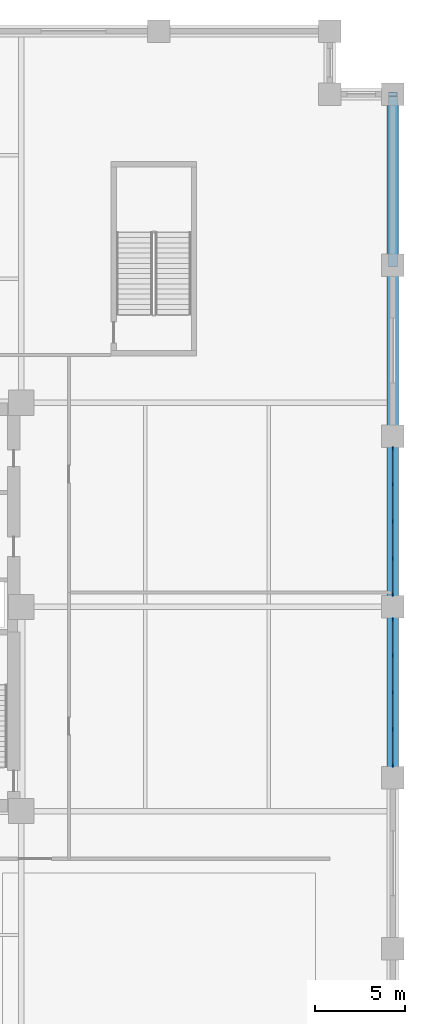
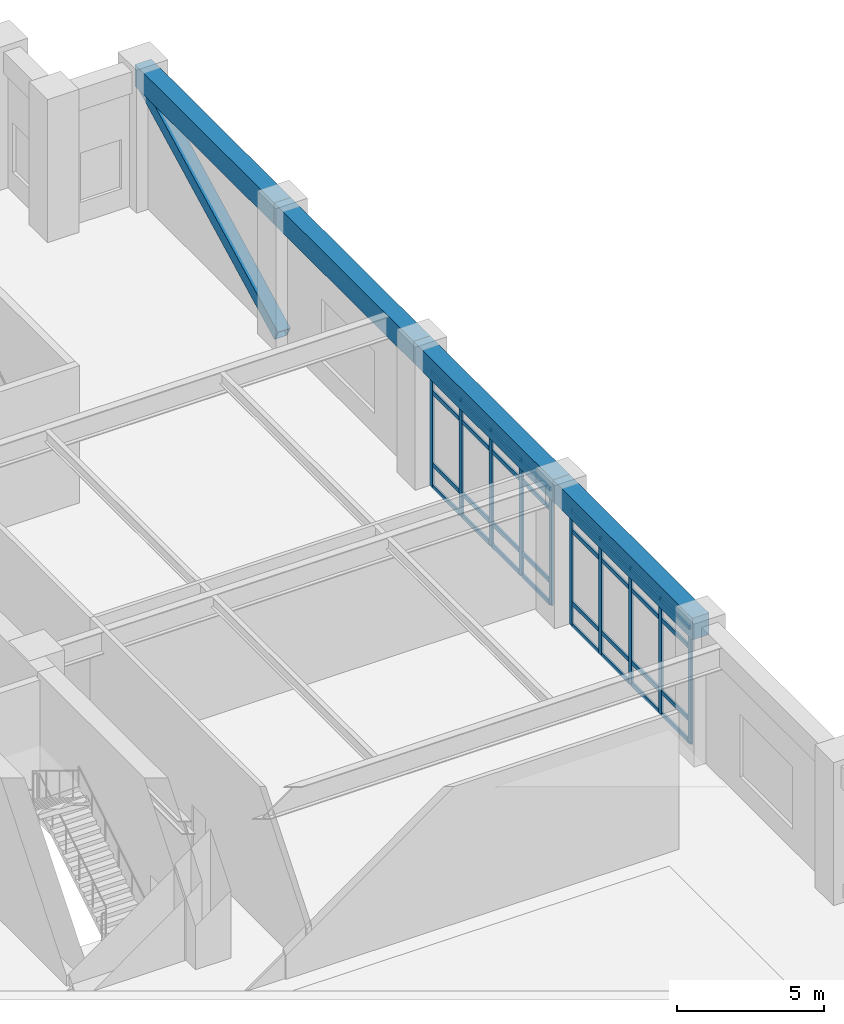
# One storey, part 8 of 21: 43 members, 4 beams, 2 elements without a shape of their own.
"""IFC4 building model written with IfcOpenShell, lengths in metres."""

from ifc_helpers import new_model, si_unit, direction, frame, origin, origin_2d, place, context, subcontext, project, spatial, rectangle, hollow_rectangle, extrude, material, layer, layer_set, material_profile, profile_set, type_object, element, aggregate, save


model = new_model("IFC4")

# Units and contexts
model_context = context("Model", 3, precision=1e-05, world=origin(), true_north=direction((0.0, 1.0)))
body_context = subcontext(model_context, "Body", "Model", "MODEL_VIEW")
ifc_project = project(units=[si_unit("LENGTHUNIT", "METRE"), si_unit("AREAUNIT", "SQUARE_METRE"), si_unit("VOLUMEUNIT", "CUBIC_METRE"), si_unit("PLANEANGLEUNIT", "RADIAN"), si_unit("MASSUNIT", "GRAM", prefix="KILO")], contexts=[model_context])

# Site, building, storey
site_placement = place(None, origin())
site = spatial("IfcSite", under=ifc_project, at=site_placement, CompositionType="ELEMENT")
building_placement = place(site_placement, origin())
building = spatial("IfcBuilding", under=site, at=building_placement, Name="Nhamokura Convention Tower", CompositionType="ELEMENT")
storey_placement = place(building_placement, frame((0.0, 0.0, 17.85009765625)))
storey = spatial("IfcBuildingStorey", under=building, at=storey_placement, Name="L03", CompositionType="ELEMENT", Elevation=17.85009765625)

# Curtain wall, members
ifc_material_1 = material(Name="Anodised bronze aluminium AA6063-T6", Category="aluminium")
ifc_layer = layer(ifc_material_1, 0.199951171875)
ifc_layer_set = layer_set([ifc_layer], Name="CWSystem_ConventionFoyer")
curtain_wall_type = type_object("IfcCurtainWallType", Name="CWSystem_ConventionFoyer", PredefinedType="NOTDEFINED", material=ifc_layer_set)
curtain_wall_1_placement = place(storey_placement, origin())
curtain_wall_1 = element("IfcCurtainWall", 1, at=curtain_wall_1_placement, inside=storey, type_object=curtain_wall_type, Name="L03 Curtain Wall ENV-L03-CW-E2", PredefinedType="NOTDEFINED")
ifc_material_2 = material(Name="Anodised bronze aluminium AA6063-T6", Category="aluminium")
ifc_material_profile_1 = material_profile(ifc_material_2, rectangle(XDim=0.074951171875, YDim=0.199951171875, at=origin_2d()))
ifc_profile_set_1 = profile_set([ifc_material_profile_1], Name="Anodised bronze aluminium AA6063-T6")
member_type_1 = type_object("IfcMemberType", Name="CWMullion_2", PredefinedType="MULLION", material=ifc_profile_set_1)
member_1_placement = place(storey_placement, frame((64.0, 31.3125, 0.0), z_axis=(0.0, 0.0, 1.0), x_axis=(1.0, 0.0, 0.0)))
member_1 = element("IfcMember", 2, at=member_1_placement, type_object=member_type_1, Name="CW-02 mullion 1", PredefinedType="MULLION", context=body_context, shape_type="SweptSolid", body=[
    extrude(rectangle(XDim=0.074951171875, YDim=0.199951171875, at=origin_2d()), origin(), (0.0, 0.0, 1.0), 4.809814453125),
])
member_2_placement = place(storey_placement, frame((64.0, 29.300048828125, 0.0), z_axis=(0.0, 0.0, 1.0), x_axis=(1.0, 0.0, 0.0)))
member_2 = element("IfcMember", 3, at=member_2_placement, type_object=member_type_1, Name="CW-02 mullion 2", PredefinedType="MULLION", context=body_context, shape_type="SweptSolid", body=[
    extrude(rectangle(XDim=0.074951171875, YDim=0.199951171875, at=origin_2d()), origin(), (0.0, 0.0, 1.0), 4.809814453125),
])
member_3_placement = place(storey_placement, frame((64.0, 27.25, 0.0), z_axis=(0.0, 0.0, 1.0), x_axis=(1.0, 0.0, 0.0)))
member_3 = element("IfcMember", 4, at=member_3_placement, type_object=member_type_1, Name="CW-02 mullion 3", PredefinedType="MULLION", context=body_context, shape_type="SweptSolid", body=[
    extrude(rectangle(XDim=0.074951171875, YDim=0.199951171875, at=origin_2d()), origin(), (0.0, 0.0, 1.0), 4.809814453125),
])
member_4_placement = place(storey_placement, frame((64.0, 25.199951171875, 0.0), z_axis=(0.0, 0.0, 1.0), x_axis=(1.0, 0.0, 0.0)))
member_4 = element("IfcMember", 5, at=member_4_placement, type_object=member_type_1, Name="CW-02 mullion 4", PredefinedType="MULLION", context=body_context, shape_type="SweptSolid", body=[
    extrude(rectangle(XDim=0.074951171875, YDim=0.199951171875, at=origin_2d()), origin(), (0.0, 0.0, 1.0), 4.809814453125),
])
member_5_placement = place(storey_placement, frame((64.0, 23.1875, 0.0), z_axis=(0.0, 0.0, 1.0), x_axis=(1.0, 0.0, 0.0)))
member_5 = element("IfcMember", 6, at=member_5_placement, type_object=member_type_1, Name="CW-02 mullion 5", PredefinedType="MULLION", context=body_context, shape_type="SweptSolid", body=[
    extrude(rectangle(XDim=0.074951171875, YDim=0.199951171875, at=origin_2d()), origin(), (0.0, 0.0, 1.0), 4.809814453125),
])

curtain_wall_2_placement = place(storey_placement, origin())
curtain_wall_2 = element("IfcCurtainWall", 7, at=curtain_wall_2_placement, inside=storey, type_object=curtain_wall_type, Name="L03 Curtain Wall ENV-L03-CW-E3", PredefinedType="NOTDEFINED")
member_6_placement = place(storey_placement, frame((64.0, 40.8125, 0.0), z_axis=(0.0, 0.0, 1.0), x_axis=(1.0, 0.0, 0.0)))
member_6 = element("IfcMember", 8, at=member_6_placement, type_object=member_type_1, Name="CW-02 mullion 1", PredefinedType="MULLION", context=body_context, shape_type="SweptSolid", body=[
    extrude(rectangle(XDim=0.074951171875, YDim=0.199951171875, at=origin_2d()), origin(), (0.0, 0.0, 1.0), 4.809814453125),
])
member_7_placement = place(storey_placement, frame((64.0, 38.800048828125, 0.0), z_axis=(0.0, 0.0, 1.0), x_axis=(1.0, 0.0, 0.0)))
member_7 = element("IfcMember", 9, at=member_7_placement, type_object=member_type_1, Name="CW-02 mullion 2", PredefinedType="MULLION", context=body_context, shape_type="SweptSolid", body=[
    extrude(rectangle(XDim=0.074951171875, YDim=0.199951171875, at=origin_2d()), origin(), (0.0, 0.0, 1.0), 4.809814453125),
])
member_8_placement = place(storey_placement, frame((64.0, 36.75, 0.0), z_axis=(0.0, 0.0, 1.0), x_axis=(1.0, 0.0, 0.0)))
member_8 = element("IfcMember", 10, at=member_8_placement, type_object=member_type_1, Name="CW-02 mullion 3", PredefinedType="MULLION", context=body_context, shape_type="SweptSolid", body=[
    extrude(rectangle(XDim=0.074951171875, YDim=0.199951171875, at=origin_2d()), origin(), (0.0, 0.0, 1.0), 4.809814453125),
])
member_9_placement = place(storey_placement, frame((64.0, 34.699951171875, 0.0), z_axis=(0.0, 0.0, 1.0), x_axis=(1.0, 0.0, 0.0)))
member_9 = element("IfcMember", 11, at=member_9_placement, type_object=member_type_1, Name="CW-02 mullion 4", PredefinedType="MULLION", context=body_context, shape_type="SweptSolid", body=[
    extrude(rectangle(XDim=0.074951171875, YDim=0.199951171875, at=origin_2d()), origin(), (0.0, 0.0, 1.0), 4.809814453125),
])
member_10_placement = place(storey_placement, frame((64.0, 32.6875, 0.0), z_axis=(0.0, 0.0, 1.0), x_axis=(1.0, 0.0, 0.0)))
member_10 = element("IfcMember", 12, at=member_10_placement, type_object=member_type_1, Name="CW-02 mullion 5", PredefinedType="MULLION", context=body_context, shape_type="SweptSolid", body=[
    extrude(rectangle(XDim=0.074951171875, YDim=0.199951171875, at=origin_2d()), origin(), (0.0, 0.0, 1.0), 4.809814453125),
])

# Member
ifc_material_3 = material(Name="Anodised bronze aluminium AA6063-T6", Category="aluminium")
ifc_material_profile_2 = material_profile(ifc_material_3, rectangle(XDim=0.074951171875, YDim=0.169921875, at=origin_2d()))
ifc_profile_set_2 = profile_set([ifc_material_profile_2], Name="Anodised bronze aluminium AA6063-T6")
member_type_2 = type_object("IfcMemberType", Name="CWTransom_2", PredefinedType="USERDEFINED", material=ifc_profile_set_2)
member_11_placement = place(storey_placement, frame((64.0, 31.27490234375, 0.037353515625), z_axis=(0.0, -1.0, 0.0), x_axis=(1.0, 0.0, 0.0)))
member_11 = element("IfcMember", 13, at=member_11_placement, type_object=member_type_2, Name="CW-02 transom 1.1", ObjectType="TRANSOM", PredefinedType="USERDEFINED", context=body_context, shape_type="SweptSolid", body=[
    extrude(rectangle(XDim=0.074951171875, YDim=0.169921875, at=origin_2d()), origin(), (0.0, 0.0, 1.0), 1.9375),
])

member_12_placement = place(storey_placement, frame((64.0, 31.27490234375, 0.949951171875), z_axis=(0.0, -1.0, 0.0), x_axis=(1.0, 0.0, 0.0)))
member_12 = element("IfcMember", 14, at=member_12_placement, type_object=member_type_2, Name="CW-02 transom 1.2", ObjectType="TRANSOM", PredefinedType="USERDEFINED", context=body_context, shape_type="SweptSolid", body=[
    extrude(rectangle(XDim=0.074951171875, YDim=0.169921875, at=origin_2d()), origin(), (0.0, 0.0, 1.0), 1.9375),
])

member_13_placement = place(storey_placement, frame((64.0, 31.27490234375, 3.9599609375), z_axis=(0.0, -1.0, 0.0), x_axis=(1.0, 0.0, 0.0)))
member_13 = element("IfcMember", 15, at=member_13_placement, type_object=member_type_2, Name="CW-02 transom 1.3", ObjectType="TRANSOM", PredefinedType="USERDEFINED", context=body_context, shape_type="SweptSolid", body=[
    extrude(rectangle(XDim=0.074951171875, YDim=0.169921875, at=origin_2d()), origin(), (0.0, 0.0, 1.0), 1.9375),
])

member_14_placement = place(storey_placement, frame((64.0, 31.27490234375, 4.7724609375), z_axis=(0.0, -1.0, 0.0), x_axis=(1.0, 0.0, 0.0)))
member_14 = element("IfcMember", 16, at=member_14_placement, type_object=member_type_2, Name="CW-02 transom 1.4", ObjectType="TRANSOM", PredefinedType="USERDEFINED", context=body_context, shape_type="SweptSolid", body=[
    extrude(rectangle(XDim=0.074951171875, YDim=0.169921875, at=origin_2d()), origin(), (0.0, 0.0, 1.0), 1.9375),
])

member_15_placement = place(storey_placement, frame((64.0, 29.262451171875, 0.037353515625), z_axis=(0.0, -1.0, 0.0), x_axis=(1.0, 0.0, 0.0)))
member_15 = element("IfcMember", 17, at=member_15_placement, type_object=member_type_2, Name="CW-02 transom 2.1", ObjectType="TRANSOM", PredefinedType="USERDEFINED", context=body_context, shape_type="SweptSolid", body=[
    extrude(rectangle(XDim=0.074951171875, YDim=0.169921875, at=origin_2d()), origin(), (0.0, 0.0, 1.0), 1.974853515625),
])

member_16_placement = place(storey_placement, frame((64.0, 29.262451171875, 0.949951171875), z_axis=(0.0, -1.0, 0.0), x_axis=(1.0, 0.0, 0.0)))
member_16 = element("IfcMember", 18, at=member_16_placement, type_object=member_type_2, Name="CW-02 transom 2.2", ObjectType="TRANSOM", PredefinedType="USERDEFINED", context=body_context, shape_type="SweptSolid", body=[
    extrude(rectangle(XDim=0.074951171875, YDim=0.169921875, at=origin_2d()), origin(), (0.0, 0.0, 1.0), 1.974853515625),
])

member_17_placement = place(storey_placement, frame((64.0, 29.262451171875, 3.9599609375), z_axis=(0.0, -1.0, 0.0), x_axis=(1.0, 0.0, 0.0)))
member_17 = element("IfcMember", 19, at=member_17_placement, type_object=member_type_2, Name="CW-02 transom 2.3", ObjectType="TRANSOM", PredefinedType="USERDEFINED", context=body_context, shape_type="SweptSolid", body=[
    extrude(rectangle(XDim=0.074951171875, YDim=0.169921875, at=origin_2d()), origin(), (0.0, 0.0, 1.0), 1.974853515625),
])

member_18_placement = place(storey_placement, frame((64.0, 29.262451171875, 4.7724609375), z_axis=(0.0, -1.0, 0.0), x_axis=(1.0, 0.0, 0.0)))
member_18 = element("IfcMember", 20, at=member_18_placement, type_object=member_type_2, Name="CW-02 transom 2.4", ObjectType="TRANSOM", PredefinedType="USERDEFINED", context=body_context, shape_type="SweptSolid", body=[
    extrude(rectangle(XDim=0.074951171875, YDim=0.169921875, at=origin_2d()), origin(), (0.0, 0.0, 1.0), 1.974853515625),
])

member_19_placement = place(storey_placement, frame((64.0, 27.21240234375, 0.037353515625), z_axis=(0.0, -1.0, 0.0), x_axis=(1.0, 0.0, 0.0)))
member_19 = element("IfcMember", 21, at=member_19_placement, type_object=member_type_2, Name="CW-02 transom 3.1", ObjectType="TRANSOM", PredefinedType="USERDEFINED", context=body_context, shape_type="SweptSolid", body=[
    extrude(rectangle(XDim=0.074951171875, YDim=0.169921875, at=origin_2d()), origin(), (0.0, 0.0, 1.0), 1.974853515625),
])

member_20_placement = place(storey_placement, frame((64.0, 27.21240234375, 0.949951171875), z_axis=(0.0, -1.0, 0.0), x_axis=(1.0, 0.0, 0.0)))
member_20 = element("IfcMember", 22, at=member_20_placement, type_object=member_type_2, Name="CW-02 transom 3.2", ObjectType="TRANSOM", PredefinedType="USERDEFINED", context=body_context, shape_type="SweptSolid", body=[
    extrude(rectangle(XDim=0.074951171875, YDim=0.169921875, at=origin_2d()), origin(), (0.0, 0.0, 1.0), 1.974853515625),
])

member_21_placement = place(storey_placement, frame((64.0, 27.21240234375, 3.9599609375), z_axis=(0.0, -1.0, 0.0), x_axis=(1.0, 0.0, 0.0)))
member_21 = element("IfcMember", 23, at=member_21_placement, type_object=member_type_2, Name="CW-02 transom 3.3", ObjectType="TRANSOM", PredefinedType="USERDEFINED", context=body_context, shape_type="SweptSolid", body=[
    extrude(rectangle(XDim=0.074951171875, YDim=0.169921875, at=origin_2d()), origin(), (0.0, 0.0, 1.0), 1.974853515625),
])

member_22_placement = place(storey_placement, frame((64.0, 27.21240234375, 4.7724609375), z_axis=(0.0, -1.0, 0.0), x_axis=(1.0, 0.0, 0.0)))
member_22 = element("IfcMember", 24, at=member_22_placement, type_object=member_type_2, Name="CW-02 transom 3.4", ObjectType="TRANSOM", PredefinedType="USERDEFINED", context=body_context, shape_type="SweptSolid", body=[
    extrude(rectangle(XDim=0.074951171875, YDim=0.169921875, at=origin_2d()), origin(), (0.0, 0.0, 1.0), 1.974853515625),
])

member_23_placement = place(storey_placement, frame((64.0, 25.16259765625, 0.037353515625), z_axis=(0.0, -1.0, 0.0), x_axis=(1.0, 0.0, 0.0)))
member_23 = element("IfcMember", 25, at=member_23_placement, type_object=member_type_2, Name="CW-02 transom 4.1", ObjectType="TRANSOM", PredefinedType="USERDEFINED", context=body_context, shape_type="SweptSolid", body=[
    extrude(rectangle(XDim=0.074951171875, YDim=0.169921875, at=origin_2d()), origin(), (0.0, 0.0, 1.0), 1.9375),
])

member_24_placement = place(storey_placement, frame((64.0, 25.16259765625, 0.949951171875), z_axis=(0.0, -1.0, 0.0), x_axis=(1.0, 0.0, 0.0)))
member_24 = element("IfcMember", 26, at=member_24_placement, type_object=member_type_2, Name="CW-02 transom 4.2", ObjectType="TRANSOM", PredefinedType="USERDEFINED", context=body_context, shape_type="SweptSolid", body=[
    extrude(rectangle(XDim=0.074951171875, YDim=0.169921875, at=origin_2d()), origin(), (0.0, 0.0, 1.0), 1.9375),
])

member_25_placement = place(storey_placement, frame((64.0, 25.16259765625, 3.9599609375), z_axis=(0.0, -1.0, 0.0), x_axis=(1.0, 0.0, 0.0)))
member_25 = element("IfcMember", 27, at=member_25_placement, type_object=member_type_2, Name="CW-02 transom 4.3", ObjectType="TRANSOM", PredefinedType="USERDEFINED", context=body_context, shape_type="SweptSolid", body=[
    extrude(rectangle(XDim=0.074951171875, YDim=0.169921875, at=origin_2d()), origin(), (0.0, 0.0, 1.0), 1.9375),
])

member_26_placement = place(storey_placement, frame((64.0, 25.16259765625, 4.7724609375), z_axis=(0.0, -1.0, 0.0), x_axis=(1.0, 0.0, 0.0)))
member_26 = element("IfcMember", 28, at=member_26_placement, type_object=member_type_2, Name="CW-02 transom 4.4", ObjectType="TRANSOM", PredefinedType="USERDEFINED", context=body_context, shape_type="SweptSolid", body=[
    extrude(rectangle(XDim=0.074951171875, YDim=0.169921875, at=origin_2d()), origin(), (0.0, 0.0, 1.0), 1.9375),
])

aggregate(curtain_wall_1, [member_1, member_2, member_3, member_4, member_5, member_11, member_12, member_13, member_14, member_15, member_16, member_17, member_18, member_19, member_20, member_21, member_22, member_23, member_24, member_25, member_26])

member_27_placement = place(storey_placement, frame((64.0, 40.77490234375, 0.037353515625), z_axis=(0.0, -1.0, 0.0), x_axis=(1.0, 0.0, 0.0)))
member_27 = element("IfcMember", 29, at=member_27_placement, type_object=member_type_2, Name="CW-02 transom 1.1", ObjectType="TRANSOM", PredefinedType="USERDEFINED", context=body_context, shape_type="SweptSolid", body=[
    extrude(rectangle(XDim=0.074951171875, YDim=0.169921875, at=origin_2d()), origin(), (0.0, 0.0, 1.0), 1.9375),
])

member_28_placement = place(storey_placement, frame((64.0, 40.77490234375, 0.949951171875), z_axis=(0.0, -1.0, 0.0), x_axis=(1.0, 0.0, 0.0)))
member_28 = element("IfcMember", 30, at=member_28_placement, type_object=member_type_2, Name="CW-02 transom 1.2", ObjectType="TRANSOM", PredefinedType="USERDEFINED", context=body_context, shape_type="SweptSolid", body=[
    extrude(rectangle(XDim=0.074951171875, YDim=0.169921875, at=origin_2d()), origin(), (0.0, 0.0, 1.0), 1.9375),
])

member_29_placement = place(storey_placement, frame((64.0, 40.77490234375, 3.9599609375), z_axis=(0.0, -1.0, 0.0), x_axis=(1.0, 0.0, 0.0)))
member_29 = element("IfcMember", 31, at=member_29_placement, type_object=member_type_2, Name="CW-02 transom 1.3", ObjectType="TRANSOM", PredefinedType="USERDEFINED", context=body_context, shape_type="SweptSolid", body=[
    extrude(rectangle(XDim=0.074951171875, YDim=0.169921875, at=origin_2d()), origin(), (0.0, 0.0, 1.0), 1.9375),
])

member_30_placement = place(storey_placement, frame((64.0, 40.77490234375, 4.7724609375), z_axis=(0.0, -1.0, 0.0), x_axis=(1.0, 0.0, 0.0)))
member_30 = element("IfcMember", 32, at=member_30_placement, type_object=member_type_2, Name="CW-02 transom 1.4", ObjectType="TRANSOM", PredefinedType="USERDEFINED", context=body_context, shape_type="SweptSolid", body=[
    extrude(rectangle(XDim=0.074951171875, YDim=0.169921875, at=origin_2d()), origin(), (0.0, 0.0, 1.0), 1.9375),
])

member_31_placement = place(storey_placement, frame((64.0, 38.762451171875, 0.037353515625), z_axis=(0.0, -1.0, 0.0), x_axis=(1.0, 0.0, 0.0)))
member_31 = element("IfcMember", 33, at=member_31_placement, type_object=member_type_2, Name="CW-02 transom 2.1", ObjectType="TRANSOM", PredefinedType="USERDEFINED", context=body_context, shape_type="SweptSolid", body=[
    extrude(rectangle(XDim=0.074951171875, YDim=0.169921875, at=origin_2d()), origin(), (0.0, 0.0, 1.0), 1.974853515625),
])

member_32_placement = place(storey_placement, frame((64.0, 38.762451171875, 0.949951171875), z_axis=(0.0, -1.0, 0.0), x_axis=(1.0, 0.0, 0.0)))
member_32 = element("IfcMember", 34, at=member_32_placement, type_object=member_type_2, Name="CW-02 transom 2.2", ObjectType="TRANSOM", PredefinedType="USERDEFINED", context=body_context, shape_type="SweptSolid", body=[
    extrude(rectangle(XDim=0.074951171875, YDim=0.169921875, at=origin_2d()), origin(), (0.0, 0.0, 1.0), 1.974853515625),
])

member_33_placement = place(storey_placement, frame((64.0, 38.762451171875, 3.9599609375), z_axis=(0.0, -1.0, 0.0), x_axis=(1.0, 0.0, 0.0)))
member_33 = element("IfcMember", 35, at=member_33_placement, type_object=member_type_2, Name="CW-02 transom 2.3", ObjectType="TRANSOM", PredefinedType="USERDEFINED", context=body_context, shape_type="SweptSolid", body=[
    extrude(rectangle(XDim=0.074951171875, YDim=0.169921875, at=origin_2d()), origin(), (0.0, 0.0, 1.0), 1.974853515625),
])

member_34_placement = place(storey_placement, frame((64.0, 38.762451171875, 4.7724609375), z_axis=(0.0, -1.0, 0.0), x_axis=(1.0, 0.0, 0.0)))
member_34 = element("IfcMember", 36, at=member_34_placement, type_object=member_type_2, Name="CW-02 transom 2.4", ObjectType="TRANSOM", PredefinedType="USERDEFINED", context=body_context, shape_type="SweptSolid", body=[
    extrude(rectangle(XDim=0.074951171875, YDim=0.169921875, at=origin_2d()), origin(), (0.0, 0.0, 1.0), 1.974853515625),
])

member_35_placement = place(storey_placement, frame((64.0, 36.71240234375, 0.037353515625), z_axis=(0.0, -1.0, 0.0), x_axis=(1.0, 0.0, 0.0)))
member_35 = element("IfcMember", 37, at=member_35_placement, type_object=member_type_2, Name="CW-02 transom 3.1", ObjectType="TRANSOM", PredefinedType="USERDEFINED", context=body_context, shape_type="SweptSolid", body=[
    extrude(rectangle(XDim=0.074951171875, YDim=0.169921875, at=origin_2d()), origin(), (0.0, 0.0, 1.0), 1.974853515625),
])

member_36_placement = place(storey_placement, frame((64.0, 36.71240234375, 0.949951171875), z_axis=(0.0, -1.0, 0.0), x_axis=(1.0, 0.0, 0.0)))
member_36 = element("IfcMember", 38, at=member_36_placement, type_object=member_type_2, Name="CW-02 transom 3.2", ObjectType="TRANSOM", PredefinedType="USERDEFINED", context=body_context, shape_type="SweptSolid", body=[
    extrude(rectangle(XDim=0.074951171875, YDim=0.169921875, at=origin_2d()), origin(), (0.0, 0.0, 1.0), 1.974853515625),
])

member_37_placement = place(storey_placement, frame((64.0, 36.71240234375, 3.9599609375), z_axis=(0.0, -1.0, 0.0), x_axis=(1.0, 0.0, 0.0)))
member_37 = element("IfcMember", 39, at=member_37_placement, type_object=member_type_2, Name="CW-02 transom 3.3", ObjectType="TRANSOM", PredefinedType="USERDEFINED", context=body_context, shape_type="SweptSolid", body=[
    extrude(rectangle(XDim=0.074951171875, YDim=0.169921875, at=origin_2d()), origin(), (0.0, 0.0, 1.0), 1.974853515625),
])

member_38_placement = place(storey_placement, frame((64.0, 36.71240234375, 4.7724609375), z_axis=(0.0, -1.0, 0.0), x_axis=(1.0, 0.0, 0.0)))
member_38 = element("IfcMember", 40, at=member_38_placement, type_object=member_type_2, Name="CW-02 transom 3.4", ObjectType="TRANSOM", PredefinedType="USERDEFINED", context=body_context, shape_type="SweptSolid", body=[
    extrude(rectangle(XDim=0.074951171875, YDim=0.169921875, at=origin_2d()), origin(), (0.0, 0.0, 1.0), 1.974853515625),
])

member_39_placement = place(storey_placement, frame((64.0, 34.66259765625, 0.037353515625), z_axis=(0.0, -1.0, 0.0), x_axis=(1.0, 0.0, 0.0)))
member_39 = element("IfcMember", 41, at=member_39_placement, type_object=member_type_2, Name="CW-02 transom 4.1", ObjectType="TRANSOM", PredefinedType="USERDEFINED", context=body_context, shape_type="SweptSolid", body=[
    extrude(rectangle(XDim=0.074951171875, YDim=0.169921875, at=origin_2d()), origin(), (0.0, 0.0, 1.0), 1.9375),
])

member_40_placement = place(storey_placement, frame((64.0, 34.66259765625, 0.949951171875), z_axis=(0.0, -1.0, 0.0), x_axis=(1.0, 0.0, 0.0)))
member_40 = element("IfcMember", 42, at=member_40_placement, type_object=member_type_2, Name="CW-02 transom 4.2", ObjectType="TRANSOM", PredefinedType="USERDEFINED", context=body_context, shape_type="SweptSolid", body=[
    extrude(rectangle(XDim=0.074951171875, YDim=0.169921875, at=origin_2d()), origin(), (0.0, 0.0, 1.0), 1.9375),
])

member_41_placement = place(storey_placement, frame((64.0, 34.66259765625, 3.9599609375), z_axis=(0.0, -1.0, 0.0), x_axis=(1.0, 0.0, 0.0)))
member_41 = element("IfcMember", 43, at=member_41_placement, type_object=member_type_2, Name="CW-02 transom 4.3", ObjectType="TRANSOM", PredefinedType="USERDEFINED", context=body_context, shape_type="SweptSolid", body=[
    extrude(rectangle(XDim=0.074951171875, YDim=0.169921875, at=origin_2d()), origin(), (0.0, 0.0, 1.0), 1.9375),
])

member_42_placement = place(storey_placement, frame((64.0, 34.66259765625, 4.7724609375), z_axis=(0.0, -1.0, 0.0), x_axis=(1.0, 0.0, 0.0)))
member_42 = element("IfcMember", 44, at=member_42_placement, type_object=member_type_2, Name="CW-02 transom 4.4", ObjectType="TRANSOM", PredefinedType="USERDEFINED", context=body_context, shape_type="SweptSolid", body=[
    extrude(rectangle(XDim=0.074951171875, YDim=0.169921875, at=origin_2d()), origin(), (0.0, 0.0, 1.0), 1.9375),
])

aggregate(curtain_wall_2, [member_6, member_7, member_8, member_9, member_10, member_27, member_28, member_29, member_30, member_31, member_32, member_33, member_34, member_35, member_36, member_37, member_38, member_39, member_40, member_41, member_42])

ifc_material_4 = material(Name="Steel ASTM A572 Gr 50", Category="steel")
ifc_material_profile_3 = material_profile(ifc_material_4, hollow_rectangle(XDim=0.5, YDim=0.5, WallThickness=0.02490234375, at=origin_2d()))
ifc_profile_set_3 = profile_set([ifc_material_profile_3], Name="Steel ASTM A572 Gr 50")
member_type_3 = type_object("IfcMemberType", Name="TubeBrace_HSS500", PredefinedType="BRACE", material=ifc_profile_set_3)
member_43_placement = place(storey_placement, frame((64.0, 51.0, 0.14990234375), z_axis=(0.0, 0.888365692966, 0.459136576152), x_axis=(-1.0, 0.0, 0.0)))
element("IfcMember", 45, at=member_43_placement, inside=storey, type_object=member_type_3, Name="L03 Perimeter Tube Brace EAST Bay 5", PredefinedType="BRACE", context=body_context, shape_type="SweptSolid", body=[
    extrude(hollow_rectangle(XDim=0.5, YDim=0.5, WallThickness=0.02490234375, at=origin_2d()), origin(), (0.0, 0.0, 1.0), 10.69384765625),
])

# Beams
ifc_material_5 = material(Name="Concrete C60/75", Category="concrete")
ifc_material_profile_4 = material_profile(ifc_material_5, rectangle(XDim=0.64990234375, YDim=0.89990234375, at=origin_2d()))
ifc_profile_set_4 = profile_set([ifc_material_profile_4], Name="Concrete C60/75")
beam_type = type_object("IfcBeamType", Name="TubeSpandrel_900", PredefinedType="SPANDREL", material=ifc_profile_set_4)
for number, where, z_axis, x_axis, name in (
    (46, (64.0, 22.5, 5.260009765625), (0.0, 1.0, 0.0), (-1.0, 0.0, 0.0), "L03 Perimeter Spandrel EAST 3"),
    (47, (64.0, 32.0, 5.260009765625), (0.0, 1.0, 0.0), (-1.0, 0.0, 0.0), "L03 Perimeter Spandrel EAST 4"),
    (48, (64.0, 41.5, 5.260009765625), (0.0, 1.0, 0.0), (-1.0, 0.0, 0.0), "L03 Perimeter Spandrel EAST 5"),
    (49, (64.0, 51.0, 5.260009765625), (0.0, 1.0, 0.0), (-1.0, 0.0, 0.0), "L03 Perimeter Spandrel EAST 6"),
):
    element("IfcBeam", number, at=place(storey_placement, frame(where, z_axis=z_axis, x_axis=x_axis)), inside=storey, type_object=beam_type, Name=name, PredefinedType="SPANDREL", context=body_context, shape_type="SweptSolid", body=[
        extrude(rectangle(XDim=0.64990234375, YDim=0.89990234375, at=origin_2d()), origin(), (0.0, 0.0, 1.0), 9.5),
    ])

save(model, "model.ifc")
